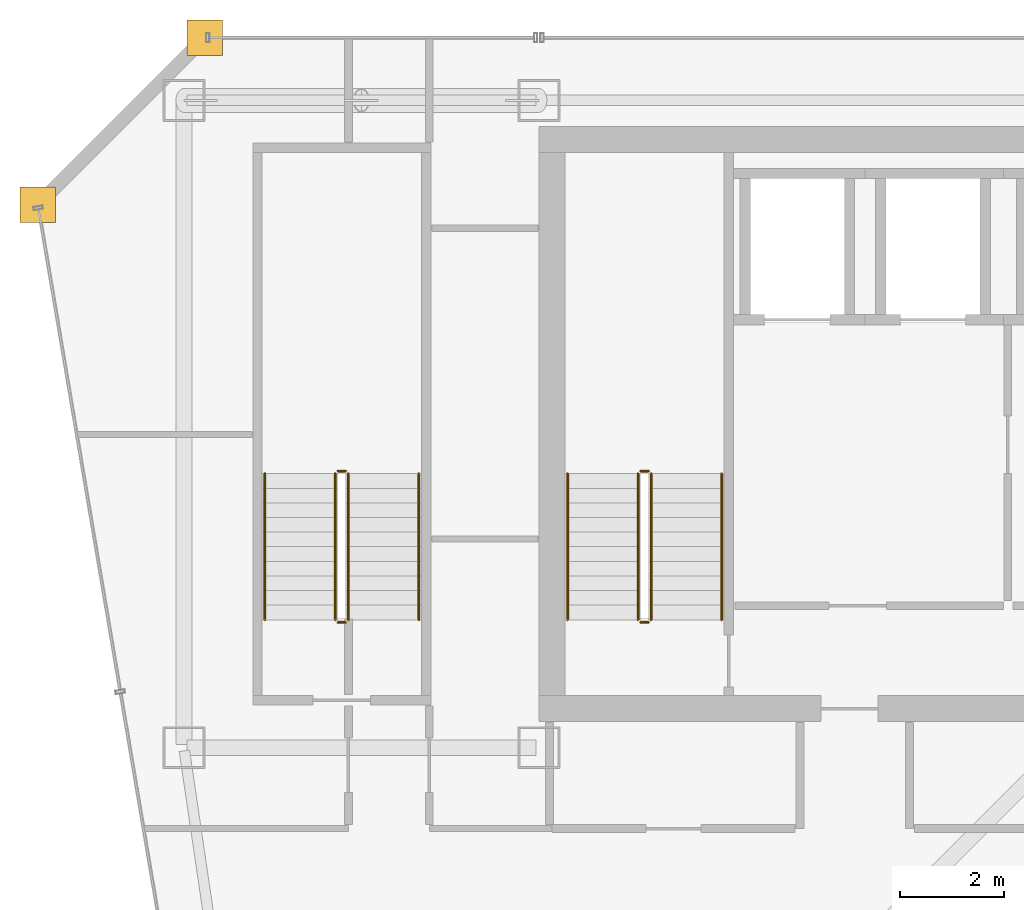
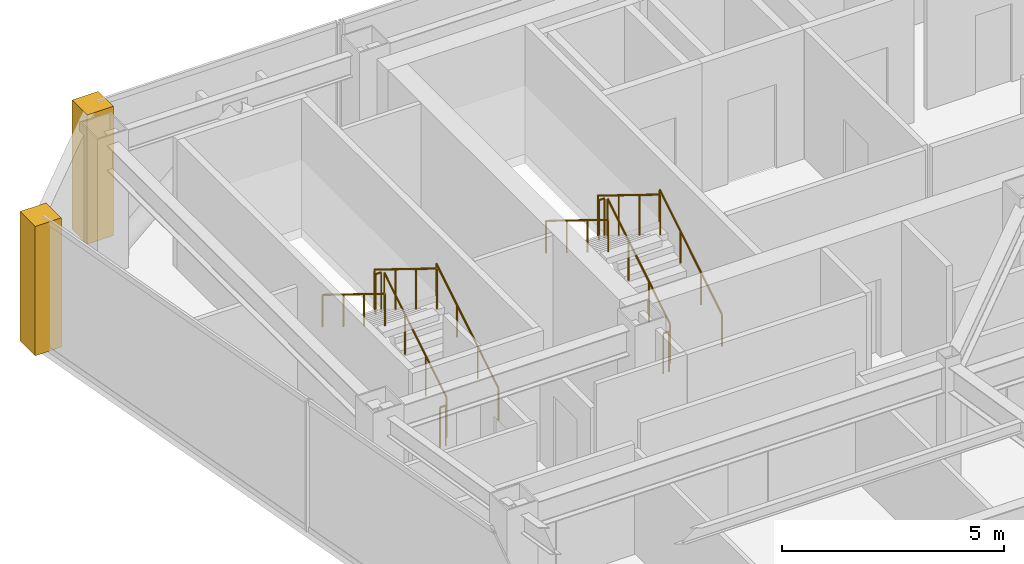
# One storey, part 35 of 36: 12 railings, 2 coverings.
"""IFC4 building model written with IfcOpenShell, lengths in metres."""

from ifc_helpers import new_model, si_unit, direction, frame, origin, origin_2d, place, context, subcontext, project, spatial, polyline, circle, outline, extrude, material, layer, layer_set, type_object, element, save


model = new_model("IFC4")

# Units and contexts
model_context = context("Model", 3, precision=1e-05, world=origin(), true_north=direction((0.0, 1.0)))
body_context = subcontext(model_context, "Body", "Model", "MODEL_VIEW")
ifc_project = project(units=[si_unit("LENGTHUNIT", "METRE"), si_unit("AREAUNIT", "SQUARE_METRE"), si_unit("VOLUMEUNIT", "CUBIC_METRE"), si_unit("PLANEANGLEUNIT", "RADIAN"), si_unit("MASSUNIT", "GRAM", prefix="KILO")], contexts=[model_context])

# Site, building, storey
site_placement = place(None, origin())
site = spatial("IfcSite", under=ifc_project, at=site_placement, CompositionType="ELEMENT")
building_placement = place(site_placement, origin())
building = spatial("IfcBuilding", under=site, at=building_placement, Name="Saevonmaru Cultural Tower", CompositionType="ELEMENT")
storey_placement = place(building_placement, frame((0.0, 0.0, 205.60009765625)))
storey = spatial("IfcBuildingStorey", under=building, at=storey_placement, Name="L47", CompositionType="ELEMENT", Elevation=205.60009765625)

# Coverings
ifc_material_1 = material(Name="Satin Bronze Anodised Aluminium", Category="aluminium")
ifc_layer = layer(ifc_material_1, 0.679931640625, Name="Satin Bronze Anodised Aluminium")
ifc_layer_set = layer_set([ifc_layer], Name="Satin Bronze Anodised Aluminium")
covering_type = type_object("IfcCoveringType", Name="CV-CORNER-CLAD", PredefinedType="CLADDING", material=ifc_layer_set)
covering_1_placement = place(storey_placement, origin())
element("IfcCovering", 1, at=covering_1_placement, inside=storey, type_object=covering_type, Name="L47 Tower Bronze Corner Cladding Pier 11", PredefinedType="CLADDING", context=body_context, shape_type="SweptSolid", body=[
    extrude(outline(polyline([(6.860107421875, 55.659912109375), (7.5400390625, 55.659912109375), (7.5400390625, 56.340087890625), (6.860107421875, 56.340087890625), (6.860107421875, 55.659912109375)])), origin(), (0.0, 0.0, 1.0), 3.5498046875),
])
covering_2_placement = place(storey_placement, origin())
element("IfcCovering", 2, at=covering_2_placement, inside=storey, type_object=covering_type, Name="L47 Tower Bronze Corner Cladding Pier 12", PredefinedType="CLADDING", context=body_context, shape_type="SweptSolid", body=[
    extrude(outline(polyline([(3.659912109375, 52.4599609375), (4.340087890625, 52.4599609375), (4.340087890625, 53.139892578125), (3.659912109375, 53.139892578125), (3.659912109375, 52.4599609375)])), origin(), (0.0, 0.0, 1.0), 3.5498046875),
])

# Railings
ifc_material_2 = material(Name="Architectural Painted Steel", Category="steel")
railing_type_1 = type_object("IfcRailingType", Name="RL-STAIR-GUARD", PredefinedType="GUARDRAIL", material=ifc_material_2)
railing_1_placement = place(storey_placement, frame((15.75, 44.85009765625, 0.172607421875)))
element("IfcRailing", 3, at=railing_1_placement, inside=storey, type_object=railing_type_1, Name="L47 ST-1 stair guard 1", PredefinedType="GUARDRAIL", context=body_context, shape_type="SweptSolid", body=[
    extrude(circle(Radius=0.02392578125, at=origin_2d()), frame((0.0, 0.0, 1.09619140625), z_axis=(0.0, 0.851069175582, 0.525053576669), x_axis=(-1.0, 0.0, 0.0)), (0.0, 0.0, 1.0), 3.289794921875),
    extrude(circle(Radius=0.02099609375, at=origin_2d()), origin(), (0.0, 0.0, 1.0), 1.072021484375),
    extrude(circle(Radius=0.02099609375, at=origin_2d()), frame((0.0, 0.933349609375, 0.57568359375)), (0.0, 0.0, 1.0), 1.072021484375),
    extrude(circle(Radius=0.02099609375, at=origin_2d()), frame((0.0, 1.866455078125, 1.151611328125)), (0.0, 0.0, 1.0), 1.072021484375),
    extrude(circle(Radius=0.02099609375, at=origin_2d()), frame((0.0, 2.7998046875, 1.727294921875)), (0.0, 0.0, 1.0), 1.072021484375),
])
railing_2_placement = place(storey_placement, frame((15.699951171875, 47.699951171875, 1.89990234375)))
element("IfcRailing", 4, at=railing_2_placement, inside=storey, type_object=railing_type_1, Name="L47 ST-1 stair guard 2", PredefinedType="GUARDRAIL", context=body_context, shape_type="SweptSolid", body=[
    extrude(circle(Radius=0.02392578125, at=origin_2d()), frame((0.0, 0.0, 1.09619140625), z_axis=(-1.0, 0.0, 0.0), x_axis=(0.0, -1.0, 0.0)), (0.0, 0.0, 1.0), 0.14990234375),
    extrude(circle(Radius=0.02099609375, at=origin_2d()), origin(), (0.0, 0.0, 1.0), 1.072021484375),
    extrude(circle(Radius=0.02099609375, at=origin_2d()), frame((-0.14990234375, 0.0, 0.0)), (0.0, 0.0, 1.0), 1.072021484375),
])
railing_3_placement = place(storey_placement, frame((15.5, 47.64990234375, 2.072509765625)))
element("IfcRailing", 5, at=railing_3_placement, inside=storey, type_object=railing_type_1, Name="L47 ST-1 stair guard 3", PredefinedType="GUARDRAIL", context=body_context, shape_type="SweptSolid", body=[
    extrude(circle(Radius=0.02392578125, at=origin_2d()), frame((0.0, 0.0, 1.09619140625), z_axis=(0.0, -0.851069175582, 0.525053576669), x_axis=(1.0, 0.0, 0.0)), (0.0, 0.0, 1.0), 3.289794921875),
    extrude(circle(Radius=0.02099609375, at=origin_2d()), origin(), (0.0, 0.0, 1.0), 1.072021484375),
    extrude(circle(Radius=0.02099609375, at=origin_2d()), frame((0.0, -0.933349609375, 0.57568359375)), (0.0, 0.0, 1.0), 1.072021484375),
    extrude(circle(Radius=0.02099609375, at=origin_2d()), frame((0.0, -1.866455078125, 1.151611328125)), (0.0, 0.0, 1.0), 1.072021484375),
    extrude(circle(Radius=0.02099609375, at=origin_2d()), frame((0.0, -2.7998046875, 1.727294921875)), (0.0, 0.0, 1.0), 1.072021484375),
])
railing_4_placement = place(storey_placement, frame((15.699951171875, 44.800048828125, 0.0)))
element("IfcRailing", 6, at=railing_4_placement, inside=storey, type_object=railing_type_1, Name="L47 ST-1 stair guard 4", PredefinedType="GUARDRAIL", context=body_context, shape_type="SweptSolid", body=[
    extrude(circle(Radius=0.02392578125, at=origin_2d()), frame((0.0, 0.0, 1.09619140625), z_axis=(-1.0, 0.0, 0.0), x_axis=(0.0, -1.0, 0.0)), (0.0, 0.0, 1.0), 0.14990234375),
    extrude(circle(Radius=0.02099609375, at=origin_2d()), origin(), (0.0, 0.0, 1.0), 1.072021484375),
    extrude(circle(Radius=0.02099609375, at=origin_2d()), frame((-0.14990234375, 0.0, 0.0)), (0.0, 0.0, 1.0), 1.072021484375),
])
railing_5_placement = place(storey_placement, frame((9.949951171875, 44.85009765625, 0.172607421875)))
element("IfcRailing", 7, at=railing_5_placement, inside=storey, type_object=railing_type_1, Name="L47 ST-3 stair guard 1", PredefinedType="GUARDRAIL", context=body_context, shape_type="SweptSolid", body=[
    extrude(circle(Radius=0.02392578125, at=origin_2d()), frame((0.0, 0.0, 1.09619140625), z_axis=(0.0, 0.851069175582, 0.525053576669), x_axis=(-1.0, 0.0, 0.0)), (0.0, 0.0, 1.0), 3.289794921875),
    extrude(circle(Radius=0.02099609375, at=origin_2d()), origin(), (0.0, 0.0, 1.0), 1.072021484375),
    extrude(circle(Radius=0.02099609375, at=origin_2d()), frame((0.0, 0.933349609375, 0.57568359375)), (0.0, 0.0, 1.0), 1.072021484375),
    extrude(circle(Radius=0.02099609375, at=origin_2d()), frame((0.0, 1.866455078125, 1.151611328125)), (0.0, 0.0, 1.0), 1.072021484375),
    extrude(circle(Radius=0.02099609375, at=origin_2d()), frame((0.0, 2.7998046875, 1.727294921875)), (0.0, 0.0, 1.0), 1.072021484375),
])
railing_6_placement = place(storey_placement, frame((9.89990234375, 47.699951171875, 1.89990234375)))
element("IfcRailing", 8, at=railing_6_placement, inside=storey, type_object=railing_type_1, Name="L47 ST-3 stair guard 2", PredefinedType="GUARDRAIL", context=body_context, shape_type="SweptSolid", body=[
    extrude(circle(Radius=0.02392578125, at=origin_2d()), frame((0.0, 0.0, 1.09619140625), z_axis=(-1.0, 0.0, 0.0), x_axis=(0.0, -1.0, 0.0)), (0.0, 0.0, 1.0), 0.14990234375),
    extrude(circle(Radius=0.02099609375, at=origin_2d()), origin(), (0.0, 0.0, 1.0), 1.072021484375),
    extrude(circle(Radius=0.02099609375, at=origin_2d()), frame((-0.14990234375, 0.0, 0.0)), (0.0, 0.0, 1.0), 1.072021484375),
])
railing_7_placement = place(storey_placement, frame((9.699951171875, 47.64990234375, 2.072509765625)))
element("IfcRailing", 9, at=railing_7_placement, inside=storey, type_object=railing_type_1, Name="L47 ST-3 stair guard 3", PredefinedType="GUARDRAIL", context=body_context, shape_type="SweptSolid", body=[
    extrude(circle(Radius=0.02392578125, at=origin_2d()), frame((0.0, 0.0, 1.09619140625), z_axis=(0.0, -0.851069175582, 0.525053576669), x_axis=(1.0, 0.0, 0.0)), (0.0, 0.0, 1.0), 3.289794921875),
    extrude(circle(Radius=0.02099609375, at=origin_2d()), origin(), (0.0, 0.0, 1.0), 1.072021484375),
    extrude(circle(Radius=0.02099609375, at=origin_2d()), frame((0.0, -0.933349609375, 0.57568359375)), (0.0, 0.0, 1.0), 1.072021484375),
    extrude(circle(Radius=0.02099609375, at=origin_2d()), frame((0.0, -1.866455078125, 1.151611328125)), (0.0, 0.0, 1.0), 1.072021484375),
    extrude(circle(Radius=0.02099609375, at=origin_2d()), frame((0.0, -2.7998046875, 1.727294921875)), (0.0, 0.0, 1.0), 1.072021484375),
])
railing_8_placement = place(storey_placement, frame((9.89990234375, 44.800048828125, 0.0)))
element("IfcRailing", 10, at=railing_8_placement, inside=storey, type_object=railing_type_1, Name="L47 ST-3 stair guard 4", PredefinedType="GUARDRAIL", context=body_context, shape_type="SweptSolid", body=[
    extrude(circle(Radius=0.02392578125, at=origin_2d()), frame((0.0, 0.0, 1.09619140625), z_axis=(-1.0, 0.0, 0.0), x_axis=(0.0, -1.0, 0.0)), (0.0, 0.0, 1.0), 0.14990234375),
    extrude(circle(Radius=0.02099609375, at=origin_2d()), origin(), (0.0, 0.0, 1.0), 1.072021484375),
    extrude(circle(Radius=0.02099609375, at=origin_2d()), frame((-0.14990234375, 0.0, 0.0)), (0.0, 0.0, 1.0), 1.072021484375),
])
railing_type_2 = type_object("IfcRailingType", Name="RL-STAIR-HANDRAIL", PredefinedType="HANDRAIL", material=ifc_material_1)
railing_9_placement = place(storey_placement, frame((17.10009765625, 44.85009765625, 0.172607421875)))
element("IfcRailing", 11, at=railing_9_placement, inside=storey, type_object=railing_type_2, Name="L47 ST-1 stair handrail 1", PredefinedType="HANDRAIL", context=body_context, shape_type="SweptSolid", body=[
    extrude(circle(Radius=0.02392578125, at=origin_2d()), frame((0.0, 0.0, 0.8759765625), z_axis=(0.0, 0.851069175582, 0.525053576669), x_axis=(-1.0, 0.0, 0.0)), (0.0, 0.0, 1.0), 3.289794921875),
    extrude(circle(Radius=0.02099609375, at=origin_2d()), origin(), (0.0, 0.0, 1.0), 0.851806640625),
    extrude(circle(Radius=0.02099609375, at=origin_2d()), frame((0.0, 0.933349609375, 0.57568359375)), (0.0, 0.0, 1.0), 0.851806640625),
    extrude(circle(Radius=0.02099609375, at=origin_2d()), frame((0.0, 1.866455078125, 1.151611328125)), (0.0, 0.0, 1.0), 0.851806640625),
    extrude(circle(Radius=0.02099609375, at=origin_2d()), frame((0.0, 2.7998046875, 1.727294921875)), (0.0, 0.0, 1.0), 0.851806640625),
])
railing_10_placement = place(storey_placement, frame((14.14990234375, 47.64990234375, 2.072509765625)))
element("IfcRailing", 12, at=railing_10_placement, inside=storey, type_object=railing_type_2, Name="L47 ST-1 stair handrail 2", PredefinedType="HANDRAIL", context=body_context, shape_type="SweptSolid", body=[
    extrude(circle(Radius=0.02392578125, at=origin_2d()), frame((0.0, 0.0, 0.8759765625), z_axis=(0.0, -0.851069175582, 0.525053576669), x_axis=(1.0, 0.0, 0.0)), (0.0, 0.0, 1.0), 3.289794921875),
    extrude(circle(Radius=0.02099609375, at=origin_2d()), origin(), (0.0, 0.0, 1.0), 0.851806640625),
    extrude(circle(Radius=0.02099609375, at=origin_2d()), frame((0.0, -0.933349609375, 0.57568359375)), (0.0, 0.0, 1.0), 0.851806640625),
    extrude(circle(Radius=0.02099609375, at=origin_2d()), frame((0.0, -1.866455078125, 1.151611328125)), (0.0, 0.0, 1.0), 0.851806640625),
    extrude(circle(Radius=0.02099609375, at=origin_2d()), frame((0.0, -2.7998046875, 1.727294921875)), (0.0, 0.0, 1.0), 0.851806640625),
])
railing_11_placement = place(storey_placement, frame((11.300048828125, 44.85009765625, 0.172607421875)))
element("IfcRailing", 13, at=railing_11_placement, inside=storey, type_object=railing_type_2, Name="L47 ST-3 stair handrail 1", PredefinedType="HANDRAIL", context=body_context, shape_type="SweptSolid", body=[
    extrude(circle(Radius=0.02392578125, at=origin_2d()), frame((0.0, 0.0, 0.8759765625), z_axis=(0.0, 0.851069175582, 0.525053576669), x_axis=(-1.0, 0.0, 0.0)), (0.0, 0.0, 1.0), 3.289794921875),
    extrude(circle(Radius=0.02099609375, at=origin_2d()), origin(), (0.0, 0.0, 1.0), 0.851806640625),
    extrude(circle(Radius=0.02099609375, at=origin_2d()), frame((0.0, 0.933349609375, 0.57568359375)), (0.0, 0.0, 1.0), 0.851806640625),
    extrude(circle(Radius=0.02099609375, at=origin_2d()), frame((0.0, 1.866455078125, 1.151611328125)), (0.0, 0.0, 1.0), 0.851806640625),
    extrude(circle(Radius=0.02099609375, at=origin_2d()), frame((0.0, 2.7998046875, 1.727294921875)), (0.0, 0.0, 1.0), 0.851806640625),
])
railing_12_placement = place(storey_placement, frame((8.35009765625, 47.64990234375, 2.072509765625)))
element("IfcRailing", 14, at=railing_12_placement, inside=storey, type_object=railing_type_2, Name="L47 ST-3 stair handrail 2", PredefinedType="HANDRAIL", context=body_context, shape_type="SweptSolid", body=[
    extrude(circle(Radius=0.02392578125, at=origin_2d()), frame((0.0, 0.0, 0.8759765625), z_axis=(0.0, -0.851069175582, 0.525053576669), x_axis=(1.0, 0.0, 0.0)), (0.0, 0.0, 1.0), 3.289794921875),
    extrude(circle(Radius=0.02099609375, at=origin_2d()), origin(), (0.0, 0.0, 1.0), 0.851806640625),
    extrude(circle(Radius=0.02099609375, at=origin_2d()), frame((0.0, -0.933349609375, 0.57568359375)), (0.0, 0.0, 1.0), 0.851806640625),
    extrude(circle(Radius=0.02099609375, at=origin_2d()), frame((0.0, -1.866455078125, 1.151611328125)), (0.0, 0.0, 1.0), 0.851806640625),
    extrude(circle(Radius=0.02099609375, at=origin_2d()), frame((0.0, -2.7998046875, 1.727294921875)), (0.0, 0.0, 1.0), 0.851806640625),
])

save(model, "model.ifc")
